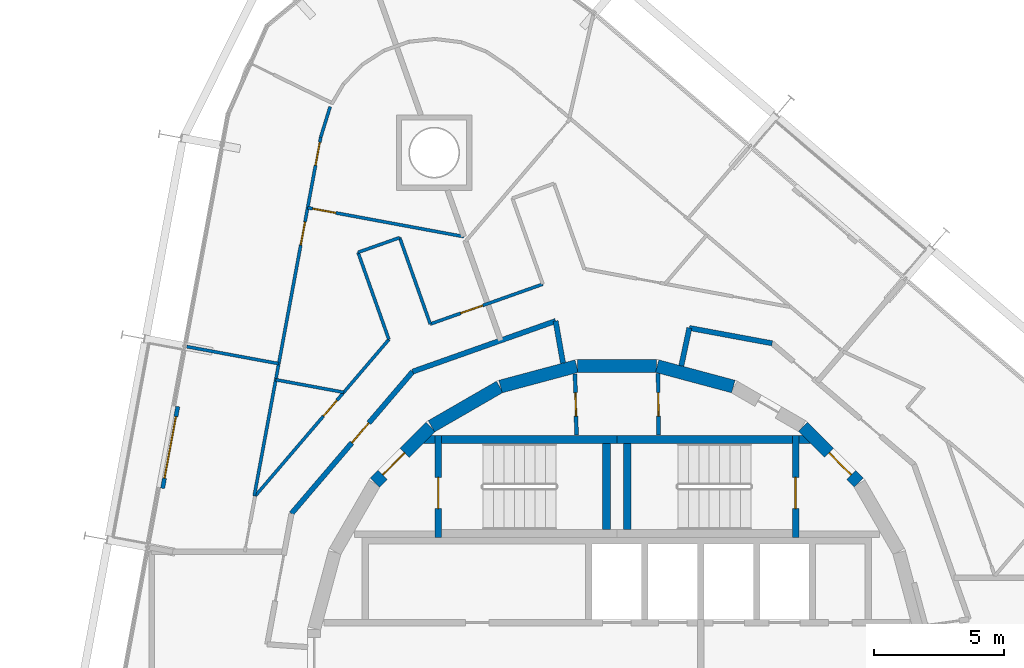
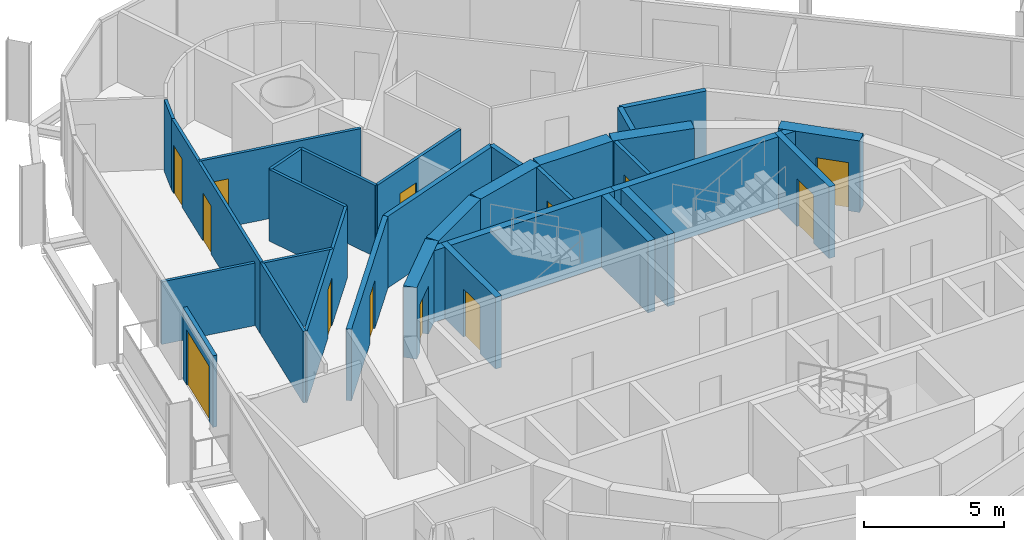
# One storey, part 14 of 17: 33 walls, 13 doors, 13 openings.
"""IFC4 building model written with IfcOpenShell, lengths in metres."""

from ifc_helpers import new_model, si_unit, direction, frame, frame_2d, origin, place, context, subcontext, project, spatial, polyline, rectangle, outline, extrude, material, layer, layer_set, type_object, element, fill, save


model = new_model("IFC4")

# Units and contexts
model_context = context("Model", 3, precision=1e-05, world=origin(), true_north=direction((0.0, 1.0)))
body_context = subcontext(model_context, "Body", "Model", "MODEL_VIEW")
ifc_project = project(units=[si_unit("LENGTHUNIT", "METRE"), si_unit("AREAUNIT", "SQUARE_METRE"), si_unit("VOLUMEUNIT", "CUBIC_METRE"), si_unit("PLANEANGLEUNIT", "RADIAN"), si_unit("MASSUNIT", "GRAM", prefix="KILO")], contexts=[model_context])

# Site, building, storey
site_placement = place(None, origin())
site = spatial("IfcSite", under=ifc_project, at=site_placement, CompositionType="ELEMENT")
building_placement = place(site_placement, origin())
building = spatial("IfcBuilding", under=site, at=building_placement, Name="Spindle Arch Residences", CompositionType="ELEMENT")
storey_placement = place(building_placement, frame((0.0, 0.0, 176.199951171875)))
storey = spatial("IfcBuildingStorey", under=building, at=storey_placement, Name="L44", CompositionType="ELEMENT", Elevation=176.199951171875)

# Wall, opening, door
ifc_material_1 = material(Name="Concrete C50/60", Category="concrete")
ifc_layer_1 = layer(ifc_material_1, 0.5)
ifc_layer_set_1 = layer_set([ifc_layer_1], Name="Core outline wall 500")
wall_type_1 = type_object("IfcWallType", Name="Core outline wall 500", PredefinedType="SHEAR", material=ifc_layer_set_1)
wall_1_placement = place(storey_placement, frame((9.30810546875, 7.163818359375, 0.0), z_axis=(0.0, 0.0, 1.0), x_axis=(-0.707106781187, 0.707106781187, 0.0)))
wall_1 = element("IfcWall", 1, at=wall_1_placement, inside=storey, type_object=wall_type_1, Name="Core outline wall 9", PredefinedType="SHEAR", context=body_context, shape_type="SweptSolid", body=[
    extrude(rectangle(XDim=3.032470703125, YDim=0.5, at=frame_2d((1.51611328125, 0.0))), origin(), (0.0, 0.0, 1.0), 3.1201171875),
])
opening_1_placement = place(wall_1_placement, frame((0.416259765625, 0.0, 0.0)))
opening_1 = element("IfcOpeningElement", 2, at=opening_1_placement, cuts=wall_1, Name="Opening R4C1-AD01", PredefinedType="OPENING", context=body_context, shape_type="SweptSolid", body=[
    extrude(rectangle(XDim=1.199951171875, YDim=2.10009765625, at=frame_2d((0.60009765625, 1.050048828125))), frame((0.0, 0.260009765625, 0.0), z_axis=(0.0, -1.0, 0.0), x_axis=(1.0, 0.0, 0.0)), (0.0, 0.0, 1.0), 0.52001953125),
])
ifc_material_2 = material(Name="Steel, fire-resisting door", Category="steel")
door_type_1 = type_object("IfcDoorType", Name="Stair airlock door 1200x2100", OperationType="SINGLE_SWING_LEFT", PredefinedType="DOOR", material=ifc_material_2)
door_1_placement = place(opening_1_placement, origin())
door_1 = element("IfcDoor", 3, at=door_1_placement, inside=storey, type_object=door_type_1, Name="Stair airlock door R4C1-AD01", OperationType="SINGLE_SWING_RIGHT", OverallHeight=2.10009765625, OverallWidth=1.199951171875, PredefinedType="DOOR", context=body_context, shape_type="SweptSolid", body=[
    extrude(rectangle(XDim=1.199951171875, YDim=2.10009765625, at=frame_2d((0.60009765625, 1.050048828125))), frame((0.0, 0.02490234375, 0.0), z_axis=(0.0, -1.0, 0.0), x_axis=(1.0, 0.0, 0.0)), (0.0, 0.0, 1.0), 0.050048828125),
])
fill(opening_1, door_1)

# Walls
for number, where, z_axis, x_axis, name in (
    (4, (4.479248046875, 10.858154296875, 0.0), (0.0, 0.0, 1.0), (-0.965948410781, 0.258734743916, 0.0), "Core outline wall 11"),
    (5, (1.516357421875, 11.647216796875, 0.0), (0.0, 0.0, 1.0), (-1.0, 0.0, 0.0), "Core outline wall 12"),
    (6, (-1.5498046875, 11.642822265625, 0.0), (0.0, 0.0, 1.0), (-0.965948410781, -0.258734743916, 0.0), "Core outline wall 13"),
    (7, (-4.510498046875, 10.84521484375, 0.0), (0.0, 0.0, 1.0), (-0.865975092491, -0.500087131594, 0.0), "Core outline wall 14"),
):
    element("IfcWall", number, at=place(storey_placement, frame(where, z_axis=z_axis, x_axis=x_axis)), inside=storey, type_object=wall_type_1, Name=name, PredefinedType="SHEAR", context=body_context, shape_type="SweptSolid", body=[
        extrude(rectangle(XDim=3.03271484375, YDim=0.5, at=frame_2d((1.516357421875, 0.0))), origin(), (0.0, 0.0, 1.0), 3.1201171875),
    ])

# Wall, opening, door
wall_2_placement = place(storey_placement, frame((-7.163818359375, 9.30810546875, 0.0), z_axis=(0.0, 0.0, 1.0), x_axis=(-0.707106781187, -0.707106781187, 0.0)))
wall_2 = element("IfcWall", 8, at=wall_2_placement, inside=storey, type_object=wall_type_1, Name="Core outline wall 15", PredefinedType="SHEAR", context=body_context, shape_type="SweptSolid", body=[
    extrude(rectangle(XDim=3.032470703125, YDim=0.5, at=frame_2d((1.51611328125, 0.0))), origin(), (0.0, 0.0, 1.0), 3.1201171875),
])
opening_2_placement = place(wall_2_placement, frame((1.416259765625, 0.0, 0.0)))
opening_2 = element("IfcOpeningElement", 9, at=opening_2_placement, cuts=wall_2, Name="Opening R4C1-AD02", PredefinedType="OPENING", context=body_context, shape_type="SweptSolid", body=[
    extrude(rectangle(XDim=1.199951171875, YDim=2.10009765625, at=frame_2d((0.60009765625, 1.050048828125))), frame((0.0, 0.260009765625, 0.0), z_axis=(0.0, -1.0, 0.0), x_axis=(1.0, 0.0, 0.0)), (0.0, 0.0, 1.0), 0.52001953125),
])
door_2_placement = place(opening_2_placement, origin())
door_2 = element("IfcDoor", 10, at=door_2_placement, inside=storey, type_object=door_type_1, Name="Stair airlock door R4C1-AD02", OperationType="SINGLE_SWING_RIGHT", OverallHeight=2.10009765625, OverallWidth=1.199951171875, PredefinedType="DOOR", context=body_context, shape_type="SweptSolid", body=[
    extrude(rectangle(XDim=1.199951171875, YDim=2.10009765625, at=frame_2d((0.60009765625, 1.050048828125))), frame((0.0, 0.02490234375, 0.0), z_axis=(0.0, -1.0, 0.0), x_axis=(1.0, 0.0, 0.0)), (0.0, 0.0, 1.0), 0.050048828125),
])
fill(opening_2, door_2)

# Walls
ifc_material_3 = material(Name="Calcium silicate block, plastered")
ifc_layer_2 = layer(ifc_material_3, 0.199951171875)
ifc_layer_set_2 = layer_set([ifc_layer_2], Name="Corridor wall 200")
wall_type_2 = type_object("IfcWallType", Name="Corridor wall 200", PredefinedType="STANDARD", material=ifc_layer_set_2)
wall_3_placement = place(storey_placement, frame((5.972412109375, 12.521240234375, 0.0), z_axis=(0.0, 0.0, 1.0), x_axis=(-0.983243002308, 0.182299748799, 0.0)))
element("IfcWall", 11, at=wall_3_placement, inside=storey, type_object=wall_type_2, Name="Corridor wall R4C1-W005", PredefinedType="STANDARD", context=body_context, shape_type="SweptSolid", body=[
    extrude(rectangle(XDim=3.239501953125, YDim=0.199951171875, at=frame_2d((1.61962890625, 0.0))), origin(), (0.0, 0.0, 1.0), 3.1201171875),
])
wall_4_placement = place(storey_placement, frame((2.787109375, 13.11181640625, 0.0), z_axis=(0.0, 0.0, 1.0), x_axis=(-0.207941001029, -0.978141370197, 0.0)))
element("IfcWall", 12, at=wall_4_placement, inside=storey, type_object=wall_type_2, Name="Corridor wall R4C1-W006", PredefinedType="STANDARD", context=body_context, shape_type="SweptSolid", body=[
    extrude(rectangle(XDim=1.4912109375, YDim=0.199951171875, at=frame_2d((0.74560546875, 0.0))), origin(), (0.0, 0.0, 1.0), 3.1201171875),
])
wall_5_placement = place(storey_placement, frame((-2.07373046875, 11.76123046875, 0.0), z_axis=(0.0, 0.0, 1.0), x_axis=(-0.1736412798, 0.984808969267, 0.0)))
element("IfcWall", 13, at=wall_5_placement, inside=storey, type_object=wall_type_2, Name="Corridor wall R4C1-W009", PredefinedType="STANDARD", context=body_context, shape_type="SweptSolid", body=[
    extrude(rectangle(XDim=1.6435546875, YDim=0.199951171875, at=frame_2d((0.82177734375, 0.0))), origin(), (0.0, 0.0, 1.0), 3.1201171875),
])
wall_6_placement = place(storey_placement, frame((-2.359130859375, 13.3798828125, 0.0), z_axis=(0.0, 0.0, 1.0), x_axis=(-0.942647529236, -0.333789807551, 0.0)))
element("IfcWall", 14, at=wall_6_placement, inside=storey, type_object=wall_type_2, Name="Corridor wall R4C1-W010", PredefinedType="STANDARD", context=body_context, shape_type="SweptSolid", body=[
    extrude(rectangle(XDim=5.8330078125, YDim=0.199951171875, at=frame_2d((2.91650390625, 0.0))), origin(), (0.0, 0.0, 1.0), 3.1201171875),
])

# Wall, opening, door
wall_7_placement = place(storey_placement, frame((-7.857666015625, 11.432861328125, 0.0), z_axis=(0.0, 0.0, 1.0), x_axis=(-0.649440801937, -0.760412154545, 0.0)))
wall_7 = element("IfcWall", 15, at=wall_7_placement, inside=storey, type_object=wall_type_2, Name="Corridor wall R4C1-W011", PredefinedType="STANDARD", context=body_context, shape_type="SweptSolid", body=[
    extrude(rectangle(XDim=7.180908203125, YDim=0.199951171875, at=frame_2d((3.59033203125, 0.0))), origin(), (0.0, 0.0, 1.0), 3.1201171875),
])
opening_3_placement = place(wall_7_placement, frame((2.60009765625, 0.0, 0.0)))
opening_3 = element("IfcOpeningElement", 16, at=opening_3_placement, cuts=wall_7, Name="Opening R4C1-FD03", PredefinedType="OPENING", context=body_context, shape_type="SweptSolid", body=[
    extrude(rectangle(XDim=1.0, YDim=2.10009765625, at=frame_2d((0.5, 1.050048828125))), frame((0.0, 0.10986328125, 0.0), z_axis=(0.0, -1.0, 0.0), x_axis=(1.0, 0.0, 0.0)), (0.0, 0.0, 1.0), 0.219970703125),
])
ifc_material_4 = material(Name="Timber, fire-resisting door set", Category="wood")
door_type_2 = type_object("IfcDoorType", Name="Flat entrance door 1000x2100", OperationType="NOTDEFINED", PredefinedType="DOOR", material=ifc_material_4)
door_3_placement = place(opening_3_placement, origin())
door_3 = element("IfcDoor", 17, at=door_3_placement, inside=storey, type_object=door_type_2, Name="Flat entrance door R4C1-FD03", OperationType="SINGLE_SWING_LEFT", OverallHeight=2.10009765625, OverallWidth=1.0, PredefinedType="DOOR", context=body_context, shape_type="SweptSolid", body=[
    extrude(rectangle(XDim=1.0, YDim=2.10009765625, at=frame_2d((0.5, 1.050048828125))), frame((0.0, 0.02490234375, 0.0), z_axis=(0.0, -1.0, 0.0), x_axis=(1.0, 0.0, 0.0)), (0.0, 0.0, 1.0), 0.050048828125),
])
fill(opening_3, door_3)

ifc_material_5 = material(Name="Plasterboard on steel studs", Category="steel")
ifc_layer_3 = layer(ifc_material_5, 0.1201171875)
ifc_layer_set_3 = layer_set([ifc_layer_3], Name="Flat partition 120")
wall_type_3 = type_object("IfcWallType", Name="Flat partition 120", PredefinedType="PARTITIONING", material=ifc_layer_set_3)
wall_8_placement = place(storey_placement, frame((-2.8515625, 14.796875, 0.0), z_axis=(0.0, 0.0, 1.0), x_axis=(-0.942629664375, -0.333840254973, 0.0)))
wall_8 = element("IfcWall", 18, at=wall_8_placement, inside=storey, type_object=wall_type_3, Name="Flat partition R4C1-W057", PredefinedType="PARTITIONING", context=body_context, shape_type="SweptSolid", body=[
    extrude(rectangle(XDim=4.59326171875, YDim=0.1201171875, at=frame_2d((2.296630859375, 0.0))), origin(), (0.0, 0.0, 1.0), 3.1201171875),
])
opening_4_placement = place(wall_8_placement, frame((2.451171875, 0.0, 0.0)))
opening_4 = element("IfcOpeningElement", 19, at=opening_4_placement, cuts=wall_8, Name="Opening R4C1-ID11", PredefinedType="OPENING", context=body_context, shape_type="SweptSolid", body=[
    extrude(rectangle(XDim=0.89990234375, YDim=2.10009765625, at=frame_2d((0.449951171875, 1.050048828125))), frame((0.0, 0.070068359375, 0.0), z_axis=(0.0, -1.0, 0.0), x_axis=(1.0, 0.0, 0.0)), (0.0, 0.0, 1.0), 0.14013671875),
])
ifc_material_6 = material(Name="Timber door set", Category="wood")
door_type_3 = type_object("IfcDoorType", Name="Room door 900x2100", OperationType="NOTDEFINED", PredefinedType="DOOR", material=ifc_material_6)
door_4_placement = place(opening_4_placement, origin())
door_4 = element("IfcDoor", 20, at=door_4_placement, inside=storey, type_object=door_type_3, Name="Room door R4C1-ID11", OperationType="SINGLE_SWING_LEFT", OverallHeight=2.10009765625, OverallWidth=0.89990234375, PredefinedType="DOOR", context=body_context, shape_type="SweptSolid", body=[
    extrude(rectangle(XDim=0.89990234375, YDim=2.10009765625, at=frame_2d((0.449951171875, 1.050048828125))), frame((0.0, 0.02490234375, 0.0), z_axis=(0.0, -1.0, 0.0), x_axis=(1.0, 0.0, 0.0)), (0.0, 0.0, 1.0), 0.050048828125),
])
fill(opening_4, door_4)

# Walls
wall_9_placement = place(storey_placement, frame((-7.181396484375, 13.263427734375, 0.0), z_axis=(0.0, 0.0, 1.0), x_axis=(-0.333822798183, 0.942635846663, 0.0)))
element("IfcWall", 21, at=wall_9_placement, inside=storey, type_object=wall_type_3, Name="Flat partition R4C1-W067", PredefinedType="PARTITIONING", context=body_context, shape_type="SweptSolid", body=[
    extrude(rectangle(XDim=3.52734375, YDim=0.1201171875, at=frame_2d((1.763671875, 0.0))), origin(), (0.0, 0.0, 1.0), 3.1201171875),
])
wall_10_placement = place(storey_placement, frame((-8.35888671875, 16.58837890625, 0.0), z_axis=(0.0, 0.0, 1.0), x_axis=(-0.942661115325, -0.333751436931, 0.0)))
element("IfcWall", 22, at=wall_10_placement, inside=storey, type_object=wall_type_3, Name="Flat partition R4C1-W068", PredefinedType="PARTITIONING", context=body_context, shape_type="SweptSolid", body=[
    extrude(rectangle(XDim=1.699951171875, YDim=0.1201171875, at=frame_2d((0.85009765625, 0.0))), origin(), (0.0, 0.0, 1.0), 3.1201171875),
])
wall_11_placement = place(storey_placement, frame((-9.96142578125, 16.02099609375, 0.0), z_axis=(0.0, 0.0, 1.0), x_axis=(0.333803930912, -0.94264252806, 0.0)))
element("IfcWall", 23, at=wall_11_placement, inside=storey, type_object=wall_type_3, Name="Flat partition R4C1-W069", PredefinedType="PARTITIONING", context=body_context, shape_type="SweptSolid", body=[
    extrude(rectangle(XDim=3.555908203125, YDim=0.1201171875, at=frame_2d((1.77783203125, 0.0))), origin(), (0.0, 0.0, 1.0), 3.1201171875),
])

# Wall, opening, door
wall_12_placement = place(storey_placement, frame((-8.7744140625, 12.6689453125, 0.0), z_axis=(0.0, 0.0, 1.0), x_axis=(-0.649446157105, -0.760407580855, 0.0)))
wall_12 = element("IfcWall", 24, at=wall_12_placement, inside=storey, type_object=wall_type_3, Name="Flat partition R4C1-W070", PredefinedType="PARTITIONING", context=body_context, shape_type="SweptSolid", body=[
    extrude(rectangle(XDim=7.927490234375, YDim=0.1201171875, at=frame_2d((3.9638671875, 0.0))), origin(), (0.0, 0.0, 1.0), 3.1201171875),
])
opening_5_placement = place(wall_12_placement, frame((3.074462890625, 0.0, 0.0)))
opening_5 = element("IfcOpeningElement", 25, at=opening_5_placement, cuts=wall_12, Name="Opening R4C1-BD03", PredefinedType="OPENING", context=body_context, shape_type="SweptSolid", body=[
    extrude(rectangle(XDim=0.800048828125, YDim=2.10009765625, at=frame_2d((0.39990234375, 1.050048828125))), frame((0.0, 0.070068359375, 0.0), z_axis=(0.0, -1.0, 0.0), x_axis=(1.0, 0.0, 0.0)), (0.0, 0.0, 1.0), 0.14013671875),
])
ifc_material_7 = material(Name="Timber door set", Category="wood")
door_type_4 = type_object("IfcDoorType", Name="Bathroom door 800x2100", OperationType="NOTDEFINED", PredefinedType="DOOR", material=ifc_material_7)
door_5_placement = place(opening_5_placement, origin())
door_5 = element("IfcDoor", 26, at=door_5_placement, inside=storey, type_object=door_type_4, Name="Bathroom door R4C1-BD03", OperationType="SINGLE_SWING_LEFT", OverallHeight=2.10009765625, OverallWidth=0.800048828125, PredefinedType="DOOR", context=body_context, shape_type="SweptSolid", body=[
    extrude(rectangle(XDim=0.800048828125, YDim=2.10009765625, at=frame_2d((0.39990234375, 1.050048828125))), frame((0.0, 0.02490234375, 0.0), z_axis=(0.0, -1.0, 0.0), x_axis=(1.0, 0.0, 0.0)), (0.0, 0.0, 1.0), 0.050048828125),
])
fill(opening_5, door_5)

# Wall
wall_13_placement = place(storey_placement, frame((-13.955322265625, 6.64697265625, 0.0), z_axis=(0.0, 0.0, 1.0), x_axis=(0.182264522222, 0.983249532896, 0.0)))
element("IfcWall", 27, at=wall_13_placement, inside=storey, type_object=wall_type_3, Name="Flat partition R4C1-W072", PredefinedType="PARTITIONING", context=body_context, shape_type="SweptSolid", body=[
    extrude(rectangle(XDim=4.589111328125, YDim=0.1201171875, at=frame_2d((2.29443359375, 0.0))), origin(), (0.0, 0.0, 1.0), 3.1201171875),
])

# Wall, opening, door
wall_14_placement = place(storey_placement, frame((-11.8994140625, 17.739990234375, 0.0), z_axis=(0.0, 0.0, 1.0), x_axis=(0.983254721409, -0.182236529889, 0.0)))
wall_14 = element("IfcWall", 28, at=wall_14_placement, inside=storey, type_object=wall_type_3, Name="Flat partition R4C1-W077", PredefinedType="PARTITIONING", context=body_context, shape_type="SweptSolid", body=[
    extrude(rectangle(XDim=6.1142578125, YDim=0.1201171875, at=frame_2d((3.05712890625, 0.0))), origin(), (0.0, 0.0, 1.0), 3.1201171875),
])
opening_6_placement = place(wall_14_placement, frame((0.199951171875, 0.0, 0.0)))
opening_6 = element("IfcOpeningElement", 29, at=opening_6_placement, cuts=wall_14, Name="Opening R4C1-ID13", PredefinedType="OPENING", context=body_context, shape_type="SweptSolid", body=[
    extrude(rectangle(XDim=0.89990234375, YDim=2.10009765625, at=frame_2d((0.449951171875, 1.050048828125))), frame((0.0, 0.070068359375, 0.0), z_axis=(0.0, -1.0, 0.0), x_axis=(1.0, 0.0, 0.0)), (0.0, 0.0, 1.0), 0.14013671875),
])
door_6_placement = place(opening_6_placement, origin())
door_6 = element("IfcDoor", 30, at=door_6_placement, inside=storey, type_object=door_type_3, Name="Room door R4C1-ID13", OperationType="SINGLE_SWING_LEFT", OverallHeight=2.10009765625, OverallWidth=0.89990234375, PredefinedType="DOOR", context=body_context, shape_type="SweptSolid", body=[
    extrude(rectangle(XDim=0.89990234375, YDim=2.10009765625, at=frame_2d((0.449951171875, 1.050048828125))), frame((0.0, 0.02490234375, 0.0), z_axis=(0.0, -1.0, 0.0), x_axis=(1.0, 0.0, 0.0)), (0.0, 0.0, 1.0), 0.050048828125),
])
fill(opening_6, door_6)

# Wall
wall_15_placement = place(storey_placement, frame((-11.0341796875, 21.62548828125, 0.0), z_axis=(0.0, 0.0, 1.0), x_axis=(-0.295260042089, -0.955416928647, 0.0)))
element("IfcWall", 31, at=wall_15_placement, inside=storey, type_object=wall_type_3, Name="Flat partition R4C1-W078", PredefinedType="PARTITIONING", context=body_context, shape_type="SweptSolid", body=[
    extrude(rectangle(XDim=1.22705078125, YDim=0.1201171875, at=frame_2d((0.613525390625, 0.0))), origin(), (0.0, 0.0, 1.0), 3.1201171875),
])

# Wall, openings, doors
wall_16_placement = place(storey_placement, frame((-11.396484375, 20.453125, 0.0), z_axis=(0.0, 0.0, 1.0), x_axis=(-0.182223370439, -0.983257160292, 0.0)))
wall_16 = element("IfcWall", 32, at=wall_16_placement, inside=storey, type_object=wall_type_3, Name="Flat partition R4C1-W079", PredefinedType="PARTITIONING", context=body_context, shape_type="SweptSolid", body=[
    extrude(rectangle(XDim=9.4521484375, YDim=0.1201171875, at=frame_2d((4.72607421875, 0.0))), origin(), (0.0, 0.0, 1.0), 3.1201171875),
])
opening_7_placement = place(wall_16_placement, frame((3.3193359375, 0.0, 0.0)))
opening_7 = element("IfcOpeningElement", 33, at=opening_7_placement, cuts=wall_16, Name="Opening R4C1-ID14", PredefinedType="OPENING", context=body_context, shape_type="SweptSolid", body=[
    extrude(rectangle(XDim=0.89990234375, YDim=2.10009765625, at=frame_2d((0.449951171875, 1.050048828125))), frame((0.0, 0.070068359375, 0.0), z_axis=(0.0, -1.0, 0.0), x_axis=(1.0, 0.0, 0.0)), (0.0, 0.0, 1.0), 0.14013671875),
])
opening_8_placement = place(wall_16_placement, frame((0.199951171875, 0.0, 0.0)))
opening_8 = element("IfcOpeningElement", 34, at=opening_8_placement, cuts=wall_16, Name="Opening R4C1-ID16", PredefinedType="OPENING", context=body_context, shape_type="SweptSolid", body=[
    extrude(rectangle(XDim=0.89990234375, YDim=2.10009765625, at=frame_2d((0.449951171875, 1.050048828125))), frame((0.0, 0.070068359375, 0.0), z_axis=(0.0, -1.0, 0.0), x_axis=(1.0, 0.0, 0.0)), (0.0, 0.0, 1.0), 0.14013671875),
])
door_7_placement = place(opening_7_placement, origin())
door_7 = element("IfcDoor", 35, at=door_7_placement, inside=storey, type_object=door_type_3, Name="Room door R4C1-ID14", OperationType="SINGLE_SWING_LEFT", OverallHeight=2.10009765625, OverallWidth=0.89990234375, PredefinedType="DOOR", context=body_context, shape_type="SweptSolid", body=[
    extrude(rectangle(XDim=0.89990234375, YDim=2.10009765625, at=frame_2d((0.449951171875, 1.050048828125))), frame((0.0, 0.02490234375, 0.0), z_axis=(0.0, -1.0, 0.0), x_axis=(1.0, 0.0, 0.0)), (0.0, 0.0, 1.0), 0.050048828125),
])
fill(opening_7, door_7)
door_8_placement = place(opening_8_placement, origin())
door_8 = element("IfcDoor", 36, at=door_8_placement, inside=storey, type_object=door_type_3, Name="Room door R4C1-ID16", OperationType="SINGLE_SWING_RIGHT", OverallHeight=2.10009765625, OverallWidth=0.89990234375, PredefinedType="DOOR", context=body_context, shape_type="SweptSolid", body=[
    extrude(rectangle(XDim=0.89990234375, YDim=2.10009765625, at=frame_2d((0.449951171875, 1.050048828125))), frame((0.0, 0.02490234375, 0.0), z_axis=(0.0, -1.0, 0.0), x_axis=(1.0, 0.0, 0.0)), (0.0, 0.0, 1.0), 0.050048828125),
])
fill(opening_8, door_8)

# Walls
wall_17_placement = place(storey_placement, frame((-13.126220703125, 11.1201171875, 0.0), z_axis=(0.0, 0.0, 1.0), x_axis=(0.983257646361, -0.182220747645, 0.0)))
element("IfcWall", 37, at=wall_17_placement, inside=storey, type_object=wall_type_3, Name="Flat partition R4C1-W080", PredefinedType="PARTITIONING", context=body_context, shape_type="SweptSolid", body=[
    extrude(rectangle(XDim=2.659423828125, YDim=0.1201171875, at=frame_2d((1.32958984375, 0.0))), origin(), (0.0, 0.0, 1.0), 3.1201171875),
])
ifc_material_8 = material(Name="Plasterboard on steel studs", Category="steel")
ifc_layer_4 = layer(ifc_material_8, 0.1201171875)
ifc_layer_set_4 = layer_set([ifc_layer_4], Name="Flat partition 120 under beam 2730")
wall_type_4 = type_object("IfcWallType", Name="Flat partition 120 under beam 2730", PredefinedType="PARTITIONING", material=ifc_layer_set_4)
wall_18_placement = place(storey_placement, frame((-16.551513671875, 12.393798828125, 0.0), z_axis=(0.0, 0.0, 1.0), x_axis=(0.983257712156, -0.182220392618, 0.0)))
element("IfcWall", 38, at=wall_18_placement, inside=storey, type_object=wall_type_4, Name="Flat partition R4C1-W081", PredefinedType="PARTITIONING", context=body_context, shape_type="SweptSolid", body=[
    extrude(rectangle(XDim=3.60009765625, YDim=0.1201171875, at=frame_2d((1.800048828125, 0.0))), origin(), (0.0, 0.0, 1.0), 2.72998046875),
])

# Wall, opening, door
ifc_material_9 = material(Name="Non-combustible mineral wool insulated aluminium faced external wall (K0)", Category="aluminium")
ifc_layer_5 = layer(ifc_material_9, 0.159912109375)
ifc_layer_set_5 = layer_set([ifc_layer_5], Name="Insulated external wall panel 160")
wall_type_5 = type_object("IfcWallType", Name="Insulated external wall panel 160", PredefinedType="STANDARD", material=ifc_layer_set_5)
wall_19_placement = place(storey_placement, frame((-16.8974609375, 10.08837890625, 0.0), z_axis=(0.0, 0.0, 1.0), x_axis=(-0.18226136951, -0.983250117307, 0.0)))
wall_19 = element("IfcWall", 39, at=wall_19_placement, inside=storey, type_object=wall_type_5, Name="External wall L44 bay 14", PredefinedType="STANDARD", context=body_context, shape_type="SweptSolid", body=[
    extrude(rectangle(XDim=3.2001953125, YDim=0.159912109375, at=frame_2d((1.60009765625, 0.0))), origin(), (0.0, 0.0, 1.0), 3.1201171875),
])
opening_9_placement = place(wall_19_placement, frame((0.39990234375, 0.0, 0.0)))
opening_9 = element("IfcOpeningElement", 40, at=opening_9_placement, cuts=wall_19, Name="Opening BD14", PredefinedType="OPENING", context=body_context, shape_type="SweptSolid", body=[
    extrude(rectangle(XDim=2.39990234375, YDim=2.39990234375, at=frame_2d((1.199951171875, 1.199951171875))), frame((0.0, 0.08984375, 0.0), z_axis=(0.0, -1.0, 0.0), x_axis=(1.0, 0.0, 0.0)), (0.0, 0.0, 1.0), 0.179931640625),
])
ifc_material_10 = material(Name="Bronze aluminium frame, tinted double glazing", Category="aluminium")
door_type_5 = type_object("IfcDoorType", Name="Sliding glazed balcony door 2400x2400", OperationType="DOUBLE_DOOR_SLIDING", PredefinedType="DOOR", material=ifc_material_10)
door_9_placement = place(opening_9_placement, origin())
door_9 = element("IfcDoor", 41, at=door_9_placement, inside=storey, type_object=door_type_5, Name="Balcony door BD14", OperationType="DOUBLE_DOOR_SLIDING", OverallHeight=2.39990234375, OverallWidth=2.39990234375, PredefinedType="DOOR", context=body_context, shape_type="SweptSolid", body=[
    extrude(rectangle(XDim=2.39990234375, YDim=2.39990234375, at=frame_2d((1.199951171875, 1.199951171875))), frame((0.0, 0.02490234375, 0.0), z_axis=(0.0, -1.0, 0.0), x_axis=(1.0, 0.0, 0.0)), (0.0, 0.0, 1.0), 0.050048828125),
])
fill(opening_9, door_9)

ifc_material_11 = material(Name="Concrete C25/30", Category="concrete")
ifc_layer_6 = layer(ifc_material_11, 0.14990234375)
ifc_layer_set_6 = layer_set([ifc_layer_6], Name="Service room partition 150")
wall_type_6 = type_object("IfcWallType", Name="Service room partition 150", PredefinedType="PARTITIONING", material=ifc_layer_set_6)
wall_20_placement = place(storey_placement, frame((1.585693359375, 11.3544921875, 0.0), z_axis=(0.0, 0.0, 1.0), x_axis=(0.007227482881, -0.999973881405, 0.0)))
wall_20 = element("IfcWall", 42, at=wall_20_placement, inside=storey, type_object=wall_type_6, Name="Core service room partition", PredefinedType="PARTITIONING", context=body_context, shape_type="SweptSolid", body=[
    extrude(rectangle(XDim=2.364501953125, YDim=0.14990234375, at=frame_2d((1.18212890625, 0.0))), origin(), (0.0, 0.0, 1.0), 3.1201171875),
])
opening_10_placement = place(wall_20_placement, frame((0.732177734375, 0.0, 0.0)))
opening_10 = element("IfcOpeningElement", 43, at=opening_10_placement, cuts=wall_20, Name="Opening R4C1-WD05", PredefinedType="OPENING", context=body_context, shape_type="SweptSolid", body=[
    extrude(rectangle(XDim=0.89990234375, YDim=2.10009765625, at=frame_2d((0.449951171875, 1.050048828125))), frame((0.0, 0.0849609375, 0.0), z_axis=(0.0, -1.0, 0.0), x_axis=(1.0, 0.0, 0.0)), (0.0, 0.0, 1.0), 0.169921875),
])
ifc_material_12 = material(Name="Steel, fire-resisting door", Category="steel")
door_type_6 = type_object("IfcDoorType", Name="Service room door 900x2100", OperationType="SINGLE_SWING_LEFT", PredefinedType="DOOR", material=ifc_material_12)
door_10_placement = place(opening_10_placement, origin())
door_10 = element("IfcDoor", 44, at=door_10_placement, inside=storey, type_object=door_type_6, Name="Service room door R4C1-WD05", OperationType="SINGLE_SWING_LEFT", OverallHeight=2.10009765625, OverallWidth=0.89990234375, PredefinedType="DOOR", context=body_context, shape_type="SweptSolid", body=[
    extrude(rectangle(XDim=0.89990234375, YDim=2.10009765625, at=frame_2d((0.449951171875, 1.050048828125))), frame((0.0, 0.02490234375, 0.0), z_axis=(0.0, -1.0, 0.0), x_axis=(1.0, 0.0, 0.0)), (0.0, 0.0, 1.0), 0.050048828125),
])
fill(opening_10, door_10)

wall_21_placement = place(storey_placement, frame((-1.555419921875, 8.989990234375, 0.0), z_axis=(0.0, 0.0, 1.0), x_axis=(-0.024125549686, 0.999708936567, 0.0)))
wall_21 = element("IfcWall", 45, at=wall_21_placement, inside=storey, type_object=wall_type_6, Name="Core service room partition", PredefinedType="PARTITIONING", context=body_context, shape_type="SweptSolid", body=[
    extrude(rectangle(XDim=2.35791015625, YDim=0.14990234375, at=frame_2d((1.178955078125, 0.0))), origin(), (0.0, 0.0, 1.0), 3.1201171875),
])
opening_11_placement = place(wall_21_placement, frame((0.72900390625, 0.0, 0.0)))
opening_11 = element("IfcOpeningElement", 46, at=opening_11_placement, cuts=wall_21, Name="Opening R4C1-WD06", PredefinedType="OPENING", context=body_context, shape_type="SweptSolid", body=[
    extrude(rectangle(XDim=0.89990234375, YDim=2.10009765625, at=frame_2d((0.449951171875, 1.050048828125))), frame((0.0, 0.0849609375, 0.0), z_axis=(0.0, -1.0, 0.0), x_axis=(1.0, 0.0, 0.0)), (0.0, 0.0, 1.0), 0.169921875),
])
door_11_placement = place(opening_11_placement, origin())
door_11 = element("IfcDoor", 47, at=door_11_placement, inside=storey, type_object=door_type_6, Name="Service room door R4C1-WD06", OperationType="SINGLE_SWING_RIGHT", OverallHeight=2.10009765625, OverallWidth=0.89990234375, PredefinedType="DOOR", context=body_context, shape_type="SweptSolid", body=[
    extrude(rectangle(XDim=0.89990234375, YDim=2.10009765625, at=frame_2d((0.449951171875, 1.050048828125))), frame((0.0, 0.02490234375, 0.0), z_axis=(0.0, -1.0, 0.0), x_axis=(1.0, 0.0, 0.0)), (0.0, 0.0, 1.0), 0.050048828125),
])
fill(opening_11, door_11)

# Walls
ifc_material_13 = material(Name="Concrete C40/50", Category="concrete")
wall_type_7 = type_object("IfcWallType", Name="Stair airlock wall profile", PredefinedType="SHEAR", material=ifc_material_13)
wall_22_placement = place(storey_placement, origin())
element("IfcWall", 48, at=wall_22_placement, inside=storey, type_object=wall_type_7, Name="Stair ST-1 airlock wall N", PredefinedType="SHEAR", context=body_context, shape_type="SweptSolid", body=[
    extrude(outline(polyline([(7.4482421875, 8.669921875), (7.0, 8.669921875), (7.0, 8.969970703125), (7.148193359375, 8.969970703125), (7.4482421875, 8.669921875)])), origin(), (0.0, 0.0, 1.0), 3.1201171875),
])
wall_23_placement = place(storey_placement, origin())
element("IfcWall", 49, at=wall_23_placement, inside=storey, type_object=wall_type_7, Name="Stair ST-2 airlock wall N", PredefinedType="SHEAR", context=body_context, shape_type="SweptSolid", body=[
    extrude(outline(polyline([(-7.148193359375, 8.969970703125), (-7.0, 8.969970703125), (-7.0, 8.669921875), (-7.4482421875, 8.669921875), (-7.148193359375, 8.969970703125)])), origin(), (0.0, 0.0, 1.0), 3.1201171875),
])

# Wall, opening, door
ifc_material_14 = material(Name="Concrete C50/60", Category="concrete")
ifc_layer_7 = layer(ifc_material_14, 0.25)
ifc_layer_set_7 = layer_set([ifc_layer_7], Name="Stair enclosure wall 250")
wall_type_8 = type_object("IfcWallType", Name="Stair enclosure wall 250", PredefinedType="SHEAR", material=ifc_layer_set_7)
wall_24_placement = place(storey_placement, frame((6.875, 5.050048828125, 0.0), z_axis=(0.0, 0.0, 1.0), x_axis=(0.0, 1.0, 0.0)))
wall_24 = element("IfcWall", 50, at=wall_24_placement, inside=storey, type_object=wall_type_8, Name="Stair ST-1 door wall", PredefinedType="SHEAR", context=body_context, shape_type="SweptSolid", body=[
    extrude(rectangle(XDim=3.919921875, YDim=0.25, at=frame_2d((1.9599609375, 0.0))), origin(), (0.0, 0.0, 1.0), 3.1201171875),
])
opening_12_placement = place(wall_24_placement, frame((1.110107421875, 0.0, 0.0)))
opening_12 = element("IfcOpeningElement", 51, at=opening_12_placement, cuts=wall_24, Name="Opening R4C1-SD01", PredefinedType="OPENING", context=body_context, shape_type="SweptSolid", body=[
    extrude(rectangle(XDim=1.199951171875, YDim=2.10009765625, at=frame_2d((0.60009765625, 1.050048828125))), frame((0.0, 0.135009765625, 0.0), z_axis=(0.0, -1.0, 0.0), x_axis=(1.0, 0.0, 0.0)), (0.0, 0.0, 1.0), 0.27001953125),
])
ifc_material_15 = material(Name="Steel, fire-resisting door", Category="steel")
door_type_7 = type_object("IfcDoorType", Name="Stair door 1200x2100", OperationType="SINGLE_SWING_RIGHT", PredefinedType="DOOR", material=ifc_material_15)
door_12_placement = place(opening_12_placement, origin())
door_12 = element("IfcDoor", 52, at=door_12_placement, inside=storey, type_object=door_type_7, Name="Stair door R4C1-SD01", OperationType="SINGLE_SWING_LEFT", OverallHeight=2.10009765625, OverallWidth=1.199951171875, PredefinedType="DOOR", context=body_context, shape_type="SweptSolid", body=[
    extrude(rectangle(XDim=1.199951171875, YDim=2.10009765625, at=frame_2d((0.60009765625, 1.050048828125))), frame((0.0, 0.02490234375, 0.0), z_axis=(0.0, -1.0, 0.0), x_axis=(1.0, 0.0, 0.0)), (0.0, 0.0, 1.0), 0.050048828125),
])
fill(opening_12, door_12)

wall_25_placement = place(storey_placement, frame((-6.875, 8.969970703125, 0.0), z_axis=(0.0, 0.0, 1.0), x_axis=(0.0, -1.0, 0.0)))
wall_25 = element("IfcWall", 53, at=wall_25_placement, inside=storey, type_object=wall_type_8, Name="Stair ST-2 door wall", PredefinedType="SHEAR", context=body_context, shape_type="SweptSolid", body=[
    extrude(rectangle(XDim=3.919921875, YDim=0.25, at=frame_2d((1.9599609375, 0.0))), origin(), (0.0, 0.0, 1.0), 3.1201171875),
])
opening_13_placement = place(wall_25_placement, frame((1.610107421875, 0.0, 0.0)))
opening_13 = element("IfcOpeningElement", 54, at=opening_13_placement, cuts=wall_25, Name="Opening R4C1-SD02", PredefinedType="OPENING", context=body_context, shape_type="SweptSolid", body=[
    extrude(rectangle(XDim=1.199951171875, YDim=2.10009765625, at=frame_2d((0.60009765625, 1.050048828125))), frame((0.0, 0.135009765625, 0.0), z_axis=(0.0, -1.0, 0.0), x_axis=(1.0, 0.0, 0.0)), (0.0, 0.0, 1.0), 0.27001953125),
])
door_13_placement = place(opening_13_placement, origin())
door_13 = element("IfcDoor", 55, at=door_13_placement, inside=storey, type_object=door_type_7, Name="Stair door R4C1-SD02", OperationType="SINGLE_SWING_LEFT", OverallHeight=2.10009765625, OverallWidth=1.199951171875, PredefinedType="DOOR", context=body_context, shape_type="SweptSolid", body=[
    extrude(rectangle(XDim=1.199951171875, YDim=2.10009765625, at=frame_2d((0.60009765625, 1.050048828125))), frame((0.0, 0.02490234375, 0.0), z_axis=(0.0, -1.0, 0.0), x_axis=(1.0, 0.0, 0.0)), (0.0, 0.0, 1.0), 0.050048828125),
])
fill(opening_13, door_13)

# Walls
ifc_material_16 = material(Name="Concrete C50/60", Category="concrete")
ifc_layer_8 = layer(ifc_material_16, 0.300048828125)
ifc_layer_set_8 = layer_set([ifc_layer_8], Name="Stair enclosure wall 300")
wall_type_9 = type_object("IfcWallType", Name="Stair enclosure wall 300", PredefinedType="SHEAR", material=ifc_layer_set_8)
wall_26_placement = place(storey_placement, frame((0.0, 8.820068359375, 0.0), z_axis=(0.0, 0.0, 1.0), x_axis=(1.0, 0.0, 0.0)))
element("IfcWall", 56, at=wall_26_placement, inside=storey, type_object=wall_type_9, Name="Stair ST-1 enclosure wall N", PredefinedType="SHEAR", context=body_context, shape_type="SweptSolid", body=[
    extrude(rectangle(XDim=6.75, YDim=0.300048828125, at=frame_2d((3.375, 0.0))), origin(), (0.0, 0.0, 1.0), 3.1201171875),
])
wall_27_placement = place(storey_placement, frame((0.39990234375, 5.35009765625, 0.0), z_axis=(0.0, 0.0, 1.0), x_axis=(0.0, 1.0, 0.0)))
element("IfcWall", 57, at=wall_27_placement, inside=storey, type_object=wall_type_9, Name="Stair ST-1 enclosure wall F", PredefinedType="SHEAR", context=body_context, shape_type="SweptSolid", body=[
    extrude(rectangle(XDim=3.31982421875, YDim=0.300048828125, at=frame_2d((1.659912109375, 0.0))), origin(), (0.0, 0.0, 1.0), 3.1201171875),
])
wall_28_placement = place(storey_placement, frame((-6.75, 8.820068359375, 0.0), z_axis=(0.0, 0.0, 1.0), x_axis=(1.0, 0.0, 0.0)))
element("IfcWall", 58, at=wall_28_placement, inside=storey, type_object=wall_type_9, Name="Stair ST-2 enclosure wall N", PredefinedType="SHEAR", context=body_context, shape_type="SweptSolid", body=[
    extrude(rectangle(XDim=6.75, YDim=0.300048828125, at=frame_2d((3.375, 0.0))), origin(), (0.0, 0.0, 1.0), 3.1201171875),
])
wall_29_placement = place(storey_placement, frame((-0.39990234375, 5.35009765625, 0.0), z_axis=(0.0, 0.0, 1.0), x_axis=(0.0, 1.0, 0.0)))
element("IfcWall", 59, at=wall_29_placement, inside=storey, type_object=wall_type_9, Name="Stair ST-2 enclosure wall F", PredefinedType="SHEAR", context=body_context, shape_type="SweptSolid", body=[
    extrude(rectangle(XDim=3.31982421875, YDim=0.300048828125, at=frame_2d((1.659912109375, 0.0))), origin(), (0.0, 0.0, 1.0), 3.1201171875),
])

save(model, "model.ifc")
